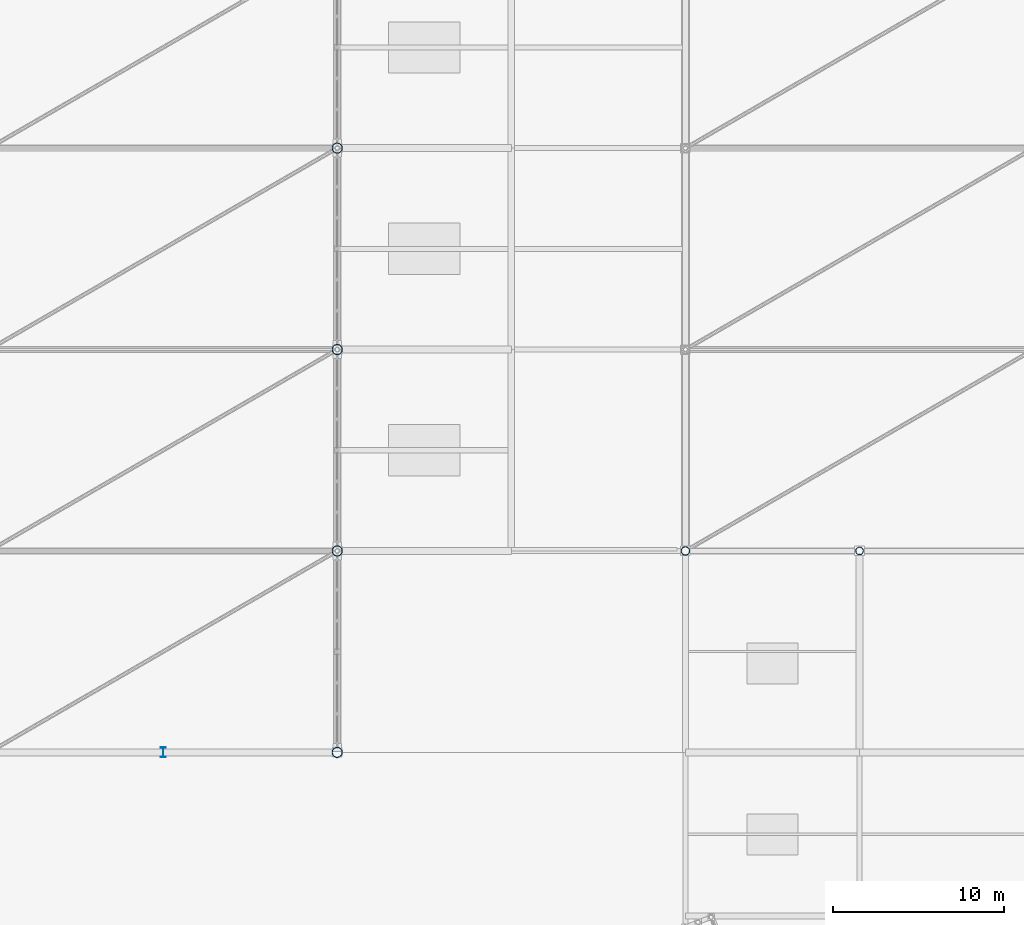
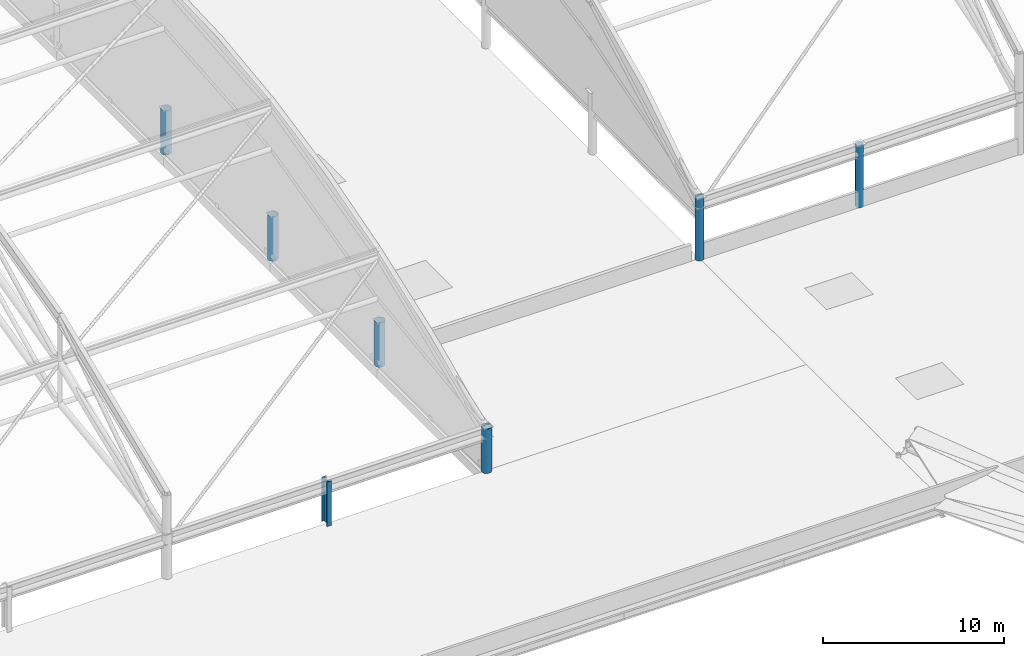
# One storey, part 9 of 135: 7 columns.
"""IFC4 building model written with IfcOpenShell, lengths in metres."""

from ifc_helpers import new_model, si_unit, direction, frame, origin, origin_2d, place, context, subcontext, project, spatial, hollow_circle, i_section, extrude, material, material_profile, profile_set, type_object, element, save


model = new_model("IFC4")

# Units and contexts
model_context = context("Model", 3, precision=1e-05, world=origin(), true_north=direction((0.0, 1.0)))
body_context = subcontext(model_context, "Body", "Model", "MODEL_VIEW")
ifc_project = project(units=[si_unit("LENGTHUNIT", "METRE"), si_unit("AREAUNIT", "SQUARE_METRE"), si_unit("VOLUMEUNIT", "CUBIC_METRE"), si_unit("PLANEANGLEUNIT", "RADIAN"), si_unit("MASSUNIT", "GRAM", prefix="KILO")], contexts=[model_context])

# Site, building, storey
site_placement = place(None, origin())
site = spatial("IfcSite", under=ifc_project, at=site_placement, CompositionType="ELEMENT")
building_placement = place(site_placement, origin())
building = spatial("IfcBuilding", under=site, at=building_placement, Name="Brelvane Convention Centre", CompositionType="ELEMENT")
storey_placement = place(building_placement, frame((0.0, 0.0, 15.0)))
storey = spatial("IfcBuildingStorey", under=building, at=storey_placement, Name="L03", CompositionType="ELEMENT", Elevation=15.0)

# Columns
ifc_material_1 = material(Name="Steel E450 (450 MPa)", Category="steel")
ifc_material_profile_1 = material_profile(ifc_material_1, hollow_circle(Radius=0.304931640625, WallThickness=0.02490234375, at=origin_2d()), Name="CHS 610.0x25.0")
ifc_profile_set_1 = profile_set([ifc_material_profile_1], Name="Steel E450 (450 MPa)")
column_type_1 = type_object("IfcColumnType", Name="Steel Column C-ST1 (CHS 610.0x25.0)", PredefinedType="COLUMN", material=ifc_profile_set_1)
for number, where, z_axis, x_axis, name in (
    (1, (142.800048828125, 28.800048828125, 0.0), (0.0, 0.0, 1.0), (1.0, 0.0, 0.0), "Column 15-D (L03)"),
    (2, (142.800048828125, 40.60009765625, 0.0), (0.0, 0.0, 1.0), (1.0, 0.0, 0.0), "Column 15-E (L03)"),
    (3, (142.800048828125, 52.39990234375, 0.0), (0.0, 0.0, 1.0), (1.0, 0.0, 0.0), "Column 15-F (L03)"),
    (4, (142.800048828125, 64.199951171875, 0.0), (0.0, 0.0, 1.0), (1.0, 0.0, 0.0), "Column 15-G (L03)"),
):
    element("IfcColumn", number, at=place(storey_placement, frame(where, z_axis=z_axis, x_axis=x_axis)), inside=storey, type_object=column_type_1, Name=name, PredefinedType="COLUMN", context=body_context, shape_type="SweptSolid", body=[
        extrude(hollow_circle(Radius=0.304931640625, WallThickness=0.02490234375, at=origin_2d()), origin(), (0.0, 0.0, 1.0), 3.0),
    ])
ifc_material_2 = material(Name="Steel E450 (450 MPa)", Category="steel")
ifc_material_profile_2 = material_profile(ifc_material_2, hollow_circle(Radius=0.25390625, WallThickness=0.02001953125, at=origin_2d()), Name="CHS 508.0x20.0")
ifc_profile_set_2 = profile_set([ifc_material_profile_2], Name="Steel E450 (450 MPa)")
column_type_2 = type_object("IfcColumnType", Name="Steel Column C-ST2 (CHS 508.0x20.0)", PredefinedType="COLUMN", material=ifc_profile_set_2)
column_1_placement = place(storey_placement, frame((163.199951171875, 40.60009765625, 0.0), z_axis=(0.0, 0.0, 1.0), x_axis=(1.0, 0.0, 0.0)))
element("IfcColumn", 5, at=column_1_placement, inside=storey, type_object=column_type_2, Name="Column 17-E (L03)", PredefinedType="COLUMN", context=body_context, shape_type="SweptSolid", body=[
    extrude(hollow_circle(Radius=0.25390625, WallThickness=0.02001953125, at=origin_2d()), origin(), (0.0, 0.0, 1.0), 4.199951171875),
])
ifc_material_3 = material(Name="Steel E450 (450 MPa)", Category="steel")
ifc_material_profile_3 = material_profile(ifc_material_3, hollow_circle(Radius=0.228515625, WallThickness=0.02001953125, at=origin_2d()), Name="CHS 457.0x20.0")
ifc_profile_set_3 = profile_set([ifc_material_profile_3], Name="Steel E450 (450 MPa)")
column_type_3 = type_object("IfcColumnType", Name="Steel Column C-ST3 (CHS 457.0x20.0)", PredefinedType="COLUMN", material=ifc_profile_set_3)
column_2_placement = place(storey_placement, frame((173.39990234375, 40.60009765625, 0.0), z_axis=(0.0, 0.0, 1.0), x_axis=(1.0, 0.0, 0.0)))
element("IfcColumn", 6, at=column_2_placement, inside=storey, type_object=column_type_3, Name="Column 18-E (L03)", PredefinedType="COLUMN", context=body_context, shape_type="SweptSolid", body=[
    extrude(hollow_circle(Radius=0.228515625, WallThickness=0.02001953125, at=origin_2d()), origin(), (0.0, 0.0, 1.0), 4.199951171875),
])
ifc_material_4 = material(Name="Steel E450 (450 MPa)", Category="steel")
ifc_material_profile_4 = material_profile(ifc_material_4, i_section(OverallWidth=0.300048828125, OverallDepth=0.60009765625, WebThickness=0.015380859375, FlangeThickness=0.030029296875, FilletRadius=0.027099609375, at=origin_2d()), Name="WPB 600x300")
ifc_profile_set_4 = profile_set([ifc_material_profile_4], Name="Steel E450 (450 MPa)")
column_type_4 = type_object("IfcColumnType", Name="Steel Column C-ST5 (WPB 600x300)", PredefinedType="COLUMN", material=ifc_profile_set_4)
column_3_placement = place(storey_placement, frame((132.60009765625, 28.800048828125, 0.0), z_axis=(0.0, 0.0, 1.0), x_axis=(1.0, 0.0, 0.0)))
element("IfcColumn", 7, at=column_3_placement, inside=storey, type_object=column_type_4, Name="Column 14-D (L03)", PredefinedType="COLUMN", context=body_context, shape_type="SweptSolid", body=[
    extrude(i_section(OverallWidth=0.300048828125, OverallDepth=0.60009765625, WebThickness=0.015380859375, FlangeThickness=0.030029296875, FilletRadius=0.027099609375, at=origin_2d()), origin(), (0.0, 0.0, 1.0), 3.0),
])

save(model, "model.ifc")
